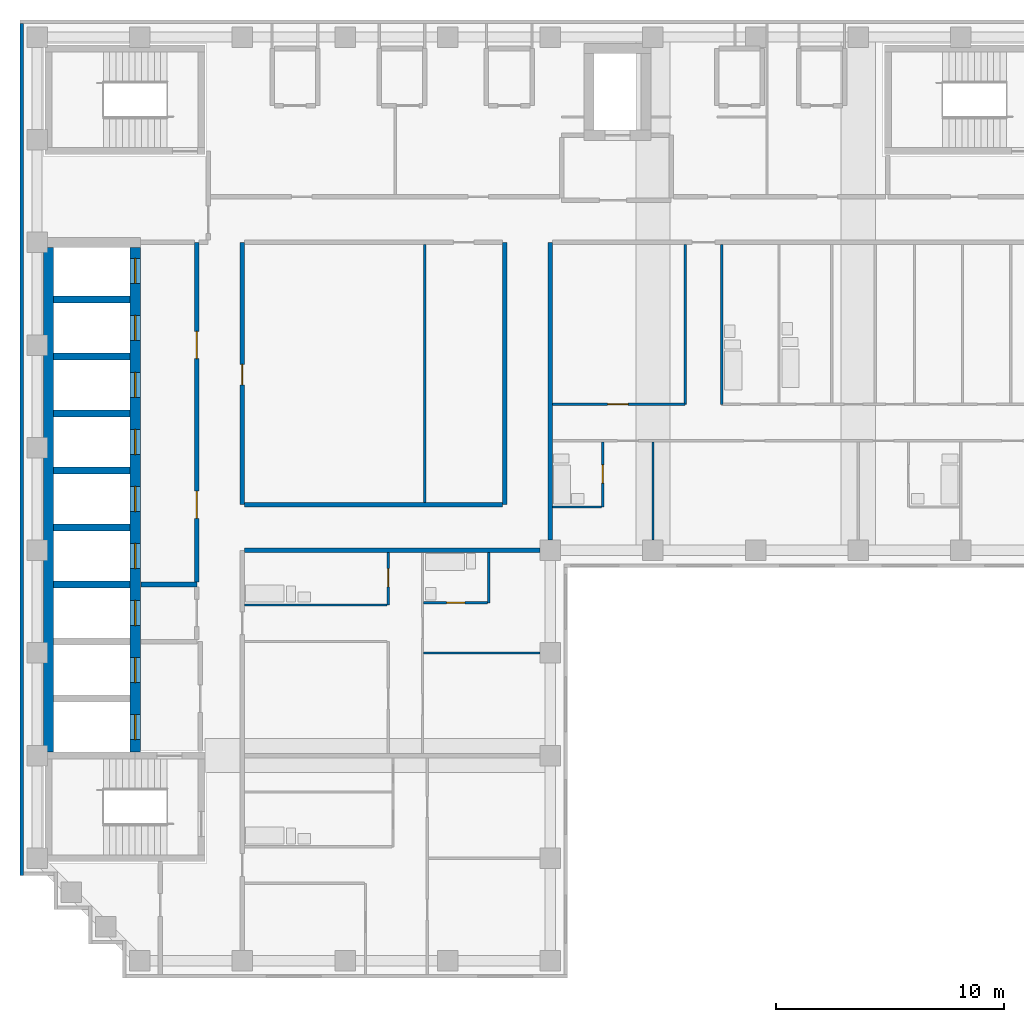
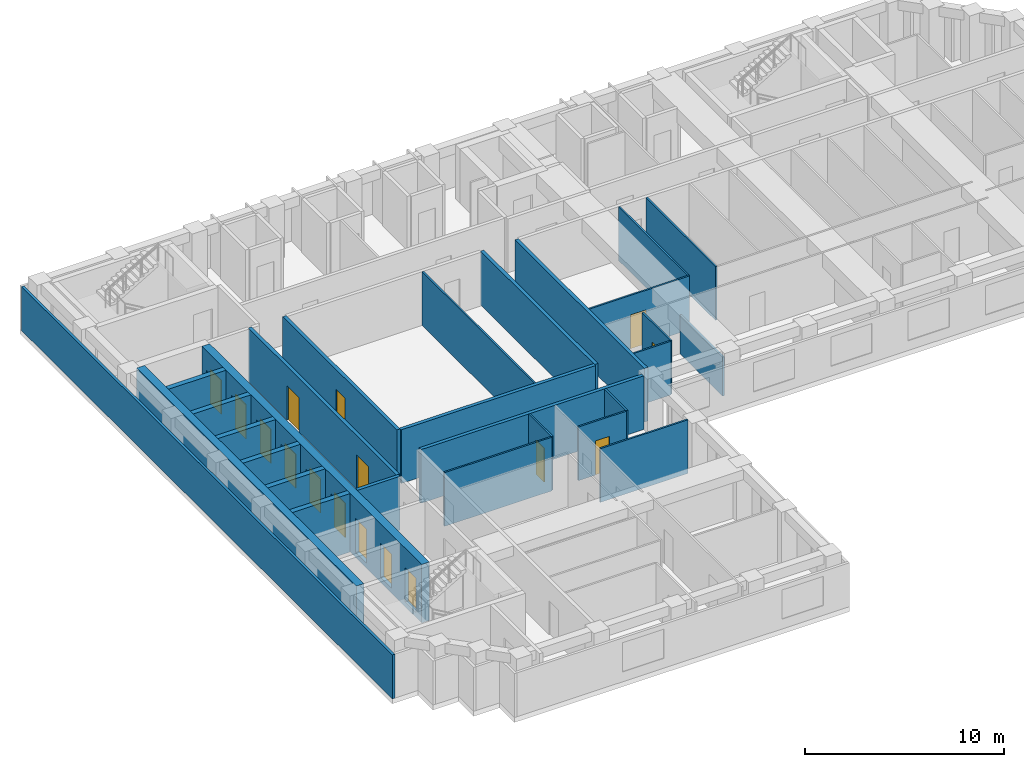
# One storey, part 3 of 9: 28 walls, 16 doors, 16 openings.
"""IFC4 building model written with IfcOpenShell, lengths in metres."""

import ifcopenshell
import ifcopenshell.guid

model = None  # the IFC model being written
_history = None  # IfcOwnerHistory: only IFC2X3 demands one
_inside = {}  # id of a spatial element -> (the spatial element, [elements in it])
_under = {}  # id of a project, library or spatial element -> (it, [spatial elements below it])
_declared = {}  # id of a project -> (the project, [libraries it declares])
_typed = {}  # id of a type object -> (the type object, [elements of that type])
_made_of = {}  # id of a material, layer set ... -> (it, [elements and type objects made of it])


def new_model(schema):
    """Start an empty IFC model of exactly this schema.

    Asked for "IFC4X3", IfcOpenShell would pick the latest addendum, in which some entities
    have other attributes; the version numbers below select the first issue.
    IFC2X3 requires an IfcOwnerHistory on every rooted entity: one is made here for all.
    """
    global model, _history
    if schema == "IFC4X3":
        model = ifcopenshell.file(schema_version=(4, 3, 0, 0))
    else:
        model = ifcopenshell.file(schema=schema)
    _inside.clear()
    _under.clear()
    _declared.clear()
    _typed.clear()
    _made_of.clear()
    _history = None
    if model.schema == "IFC2X3":
        org = make("IfcOrganization", Name="unknown")
        user = make(
            "IfcPersonAndOrganization",
            ThePerson=make("IfcPerson", FamilyName="unknown"),
            TheOrganization=org,
        )
        app = make(
            "IfcApplication",
            ApplicationDeveloper=org,
            Version="unknown",
            ApplicationFullName="unknown",
            ApplicationIdentifier="unknown",
        )
        _history = make(
            "IfcOwnerHistory",
            OwningUser=user,
            OwningApplication=app,
            ChangeAction="ADDED",
            CreationDate=0,
        )
    return model


def make(cls, **values):
    """One entity of the class cls with the attributes given. An attribute that is None is left unset."""
    return model.create_entity(
        cls, **{name: value for name, value in values.items() if value is not None}
    )


def rooted(cls, **values):
    """An entity with a GlobalId (a new one), such as an element, a storey or a relation."""
    return make(cls, GlobalId=ifcopenshell.guid.new(), OwnerHistory=_history, **values)


def si_unit(unit_type, name, prefix=None):
    """IfcSIUnit, for example si_unit("LENGTHUNIT", "METRE", prefix="MILLI")."""
    return make("IfcSIUnit", UnitType=unit_type, Prefix=prefix, Name=name)


def assignment(units):
    """IfcUnitAssignment: the units of a project."""
    return None if units is None else make("IfcUnitAssignment", Units=units)


def point(xyz):
    """IfcCartesianPoint."""
    return None if xyz is None else make("IfcCartesianPoint", Coordinates=xyz)


def direction(xyz):
    """IfcDirection."""
    return None if xyz is None else make("IfcDirection", DirectionRatios=xyz)


def frame(location, z_axis=None, x_axis=None):
    """IfcAxis2Placement3D, a coordinate frame: its origin and axes. An axis left out is left unset."""
    return make(
        "IfcAxis2Placement3D",
        Location=point(location),
        Axis=direction(z_axis),
        RefDirection=direction(x_axis),
    )


def frame_2d(location, x_axis=None):
    """IfcAxis2Placement2D, a coordinate frame in the plane: its origin and x axis."""
    return make(
        "IfcAxis2Placement2D", Location=point(location), RefDirection=direction(x_axis)
    )


def origin():
    """The frame at (0, 0, 0) with its axes left unset."""
    return frame((0.0, 0.0, 0.0))


def place(relative_to, where):
    """IfcLocalPlacement: puts the frame where relative to a parent placement (None: the world)."""
    return make(
        "IfcLocalPlacement", PlacementRelTo=relative_to, RelativePlacement=where
    )


def context(
    kind, dimensions, precision=None, world=None, true_north=None, identifier=None
):
    """IfcGeometricRepresentationContext, for example the 3D "Model" context."""
    return make(
        "IfcGeometricRepresentationContext",
        ContextIdentifier=identifier,
        ContextType=kind,
        CoordinateSpaceDimension=dimensions,
        Precision=precision,
        WorldCoordinateSystem=world,
        TrueNorth=true_north,
    )


def subcontext(parent, identifier, kind, view, scale=None):
    """IfcGeometricRepresentationSubContext, for example "Body" below "Model"."""
    return make(
        "IfcGeometricRepresentationSubContext",
        ContextIdentifier=identifier,
        ContextType=kind,
        ParentContext=parent,
        TargetScale=scale,
        TargetView=view,
    )


def project(units=None, contexts=None):
    """IfcProject with its units and contexts."""
    return rooted(
        "IfcProject",
        Name="project",
        RepresentationContexts=contexts,
        UnitsInContext=assignment(units),
    )


def spatial(cls, under=None, at=None, **own):
    """A site, building, storey or space (cls), placed at a placement, below another one or the project."""
    s = rooted(cls, ObjectPlacement=at, **own)
    if under is not None:
        _under.setdefault(under.id(), (under, []))[1].append(s)
    return s


def profile(cls, at=None, kind="AREA", **sizes):
    """A parametric profile (cls). Its sizes go by their IFC names, for example OverallWidth=200.0."""
    return make(cls, ProfileType=kind, Position=at, **sizes)


def rectangle(**sizes):
    """IfcRectangleProfileDef."""
    return profile("IfcRectangleProfileDef", **sizes)


def extrude(swept, where, along, depth):
    """IfcExtrudedAreaSolid: the profile swept, set in the frame where, extruded along a direction by depth."""
    return make(
        "IfcExtrudedAreaSolid",
        SweptArea=swept,
        Position=where,
        ExtrudedDirection=direction(along),
        Depth=depth,
    )


def shape(context_of_items, identifier, shape_type, items):
    """IfcShapeRepresentation: the items that make up one representation, for example the "Body"."""
    return make(
        "IfcShapeRepresentation",
        ContextOfItems=context_of_items,
        RepresentationIdentifier=identifier,
        RepresentationType=shape_type,
        Items=items,
    )


def material(Name=None, Category=None):
    """IfcMaterial."""
    return make("IfcMaterial", Name=Name, Category=Category)


def layer(
    of_material, thickness, ventilated=None, Name=None, Category=None, Priority=None
):
    """IfcMaterialLayer: one layer of a wall or slab, of a material (None: an air gap)."""
    return make(
        "IfcMaterialLayer",
        Material=of_material,
        LayerThickness=thickness,
        IsVentilated=ventilated,
        Name=Name,
        Category=Category,
        Priority=Priority,
    )


def layer_set(layers, Name=None):
    """IfcMaterialLayerSet."""
    return make("IfcMaterialLayerSet", MaterialLayers=layers, LayerSetName=Name)


def made_of(thing, what):
    """Note that an element or type object is made of a material, layer set ...; save() writes the relation."""
    if what is not None:
        _made_of.setdefault(what.id(), (what, []))[1].append(thing)
    return thing


def type_object(cls, material=None, **own):
    """A type object (cls), such as IfcWallType, which elements share."""
    return made_of(rooted(cls, **own), material)


def element(
    cls,
    number,
    at=None,
    inside=None,
    cuts=None,
    type_object=None,
    material=None,
    context=None,
    identifier="Body",
    shape_type=None,
    held_by="IfcProductDefinitionShape",
    body=None,
    shapes=None,
    **own,
):
    """One element of the class cls, such as IfcWall. Its Tag is "e" and its number.

    at: its placement. inside: the storey or other place that contains it. cuts: it is an
    opening in that element (IfcRelVoidsElement). A single representation is given by context,
    identifier, shape_type and body (its items); several are given by shapes. held_by: the class
    of the entity that holds the representations. save() writes the other relations.
    """
    e = rooted(cls, Tag="e%d" % number, ObjectPlacement=at, **own)
    if body is not None:
        shapes = [shape(context, identifier, shape_type, body)]
    if shapes is not None:
        e.Representation = make(held_by, Representations=shapes)
    if inside is not None:
        _inside.setdefault(inside.id(), (inside, []))[1].append(e)
    if cuts is not None:
        rooted(
            "IfcRelVoidsElement", RelatingBuildingElement=cuts, RelatedOpeningElement=e
        )
    if type_object is not None:
        _typed.setdefault(type_object.id(), (type_object, []))[1].append(e)
    return made_of(e, material)


def fill(opening, filler):
    """IfcRelFillsElement: the door or window that sits in an opening."""
    return rooted(
        "IfcRelFillsElement",
        RelatingOpeningElement=opening,
        RelatedBuildingElement=filler,
    )


def aggregate(whole, parts):
    """IfcRelAggregates: a whole, such as a stair, and the parts it consists of."""
    return rooted("IfcRelAggregates", RelatingObject=whole, RelatedObjects=parts)


def save(model, path):
    """Write the relations noted so far, then the file.

    IfcRelAggregates (storeys below a building ...), IfcRelContainedInSpatialStructure (elements
    in a storey), IfcRelDefinesByType, IfcRelAssociatesMaterial and IfcRelDeclares: one each for
    every whole, place, type object, material and project.
    """
    for whole, parts in _under.values():
        aggregate(whole, parts)
    for where, things in _inside.values():
        rooted(
            "IfcRelContainedInSpatialStructure",
            RelatedElements=things,
            RelatingStructure=where,
        )
    for kind, things in _typed.values():
        rooted("IfcRelDefinesByType", RelatedObjects=things, RelatingType=kind)
    for what, things in _made_of.values():
        rooted("IfcRelAssociatesMaterial", RelatedObjects=things, RelatingMaterial=what)
    for by, libraries in _declared.values():
        rooted("IfcRelDeclares", RelatingContext=by, RelatedDefinitions=libraries)
    model.write(path)


model = new_model("IFC4")

# Units and contexts
model_context = context("Model", 3, precision=1e-05, world=origin(), true_north=direction((0.0, 1.0)))
body_context = subcontext(model_context, "Body", "Model", "MODEL_VIEW")
ifc_project = project(units=[si_unit("LENGTHUNIT", "METRE"), si_unit("AREAUNIT", "SQUARE_METRE"), si_unit("VOLUMEUNIT", "CUBIC_METRE"), si_unit("PLANEANGLEUNIT", "RADIAN"), si_unit("MASSUNIT", "GRAM", prefix="KILO")], contexts=[model_context])

# Site, building, storey
site_placement = place(None, origin())
site = spatial("IfcSite", under=ifc_project, at=site_placement, CompositionType="ELEMENT")
building_placement = place(site_placement, origin())
building = spatial("IfcBuilding", under=site, at=building_placement, Name="Firuza Court", CompositionType="ELEMENT")
storey_placement = place(building_placement, frame((0.0, 0.0, 225.800048828125)))
storey = spatial("IfcBuildingStorey", under=building, at=storey_placement, Name="L58", CompositionType="ELEMENT", Elevation=225.800048828125)

# Wall
ifc_material_1 = material(Name="Moisture-resistant gypsum board partition")
ifc_layer_1 = layer(ifc_material_1, 0.10009765625)
ifc_layer_set_1 = layer_set([ifc_layer_1], Name="Moisture-resistant gypsum board partition")
wall_type_1 = type_object("IfcWallType", Name="Bathroom partition 100", PredefinedType="PLUMBINGWALL", material=ifc_layer_set_1)
wall_1_placement = place(storey_placement, frame((9.10009765625, 33.60009765625, 0.0), z_axis=(0.0, 0.0, 1.0), x_axis=(1.0, 0.0, 0.0)))
element("IfcWall", 1, at=wall_1_placement, inside=storey, type_object=wall_type_1, Name="Bathroom partition 100 L58", PredefinedType="PLUMBINGWALL", context=body_context, shape_type="SweptSolid", body=[
    extrude(rectangle(XDim=6.25, YDim=0.10009765625, at=frame_2d((3.125, 0.0))), origin(), (0.0, 0.0, 1.0), 3.300048828125),
])

# Wall, opening, door
wall_2_placement = place(storey_placement, frame((16.949951171875, 33.699951171875, 0.0), z_axis=(0.0, 0.0, 1.0), x_axis=(1.0, 0.0, 0.0)))
wall_2 = element("IfcWall", 2, at=wall_2_placement, inside=storey, type_object=wall_type_1, Name="Bathroom partition 100 L58", PredefinedType="PLUMBINGWALL", context=body_context, shape_type="SweptSolid", body=[
    extrude(rectangle(XDim=2.800048828125, YDim=0.10009765625, at=frame_2d((1.39990234375, 0.0))), origin(), (0.0, 0.0, 1.0), 3.300048828125),
])
opening_1_placement = place(wall_2_placement, frame((1.0, 0.0, 0.0)))
opening_1 = element("IfcOpeningElement", 3, at=opening_1_placement, cuts=wall_2, Name="Opening D58025", PredefinedType="OPENING", context=body_context, shape_type="SweptSolid", body=[
    extrude(rectangle(XDim=0.800048828125, YDim=2.10009765625, at=frame_2d((0.39990234375, 1.050048828125))), frame((0.0, 0.06201171875, 0.0), z_axis=(0.0, -1.0, 0.0), x_axis=(1.0, 0.0, 0.0)), (0.0, 0.0, 1.0), 0.1240234375),
])
ifc_material_2 = material(Name="Timber door leaf in hardwood frame", Category="wood")
door_type_1 = type_object("IfcDoorType", Name="Bathroom door 800", OperationType="SINGLE_SWING_LEFT", PredefinedType="DOOR", material=ifc_material_2)
door_1_placement = place(opening_1_placement, origin())
door_1 = element("IfcDoor", 4, at=door_1_placement, inside=storey, type_object=door_type_1, Name="En-suite door", OperationType="SINGLE_SWING_LEFT", OverallHeight=2.10009765625, OverallWidth=0.800048828125, PredefinedType="DOOR", context=body_context, shape_type="SweptSolid", body=[
    extrude(rectangle(XDim=0.800048828125, YDim=2.10009765625, at=frame_2d((0.39990234375, 1.050048828125))), frame((0.0, 0.02490234375, 0.0), z_axis=(0.0, -1.0, 0.0), x_axis=(1.0, 0.0, 0.0)), (0.0, 0.0, 1.0), 0.050048828125),
])
fill(opening_1, door_1)

# Walls
wall_3_placement = place(storey_placement, frame((19.800048828125, 33.699951171875, 0.0), z_axis=(0.0, 0.0, 1.0), x_axis=(0.0, 1.0, 0.0)))
element("IfcWall", 5, at=wall_3_placement, inside=storey, type_object=wall_type_1, Name="Bathroom partition 100 L58", PredefinedType="PLUMBINGWALL", context=body_context, shape_type="SweptSolid", body=[
    extrude(rectangle(XDim=2.199951171875, YDim=0.10009765625, at=frame_2d((1.10009765625, 0.0))), origin(), (0.0, 0.0, 1.0), 3.300048828125),
])
wall_4_placement = place(storey_placement, frame((22.60009765625, 37.89990234375, 0.0), z_axis=(0.0, 0.0, 1.0), x_axis=(1.0, 0.0, 0.0)))
element("IfcWall", 6, at=wall_4_placement, inside=storey, type_object=wall_type_1, Name="Bathroom partition 100 L58", PredefinedType="PLUMBINGWALL", context=body_context, shape_type="SweptSolid", body=[
    extrude(rectangle(XDim=2.14990234375, YDim=0.10009765625, at=frame_2d((1.074951171875, 0.0))), origin(), (0.0, 0.0, 1.0), 3.300048828125),
])

# Wall, opening, door
wall_5_placement = place(storey_placement, frame((24.800048828125, 37.89990234375, 0.0), z_axis=(0.0, 0.0, 1.0), x_axis=(0.0, 1.0, 0.0)))
wall_5 = element("IfcWall", 7, at=wall_5_placement, inside=storey, type_object=wall_type_1, Name="Bathroom partition 100 L58", PredefinedType="PLUMBINGWALL", context=body_context, shape_type="SweptSolid", body=[
    extrude(rectangle(XDim=2.85009765625, YDim=0.10009765625, at=frame_2d((1.425048828125, 0.0))), origin(), (0.0, 0.0, 1.0), 3.300048828125),
])
opening_2_placement = place(wall_5_placement, frame((1.050048828125, 0.0, 0.0)))
opening_2 = element("IfcOpeningElement", 8, at=opening_2_placement, cuts=wall_5, Name="Opening D58026", PredefinedType="OPENING", context=body_context, shape_type="SweptSolid", body=[
    extrude(rectangle(XDim=0.800048828125, YDim=2.10009765625, at=frame_2d((0.39990234375, 1.050048828125))), frame((0.0, 0.06201171875, 0.0), z_axis=(0.0, -1.0, 0.0), x_axis=(1.0, 0.0, 0.0)), (0.0, 0.0, 1.0), 0.1240234375),
])
door_2_placement = place(opening_2_placement, origin())
door_2 = element("IfcDoor", 9, at=door_2_placement, inside=storey, type_object=door_type_1, Name="En-suite door", OperationType="SINGLE_SWING_LEFT", OverallHeight=2.10009765625, OverallWidth=0.800048828125, PredefinedType="DOOR", context=body_context, shape_type="SweptSolid", body=[
    extrude(rectangle(XDim=0.800048828125, YDim=2.10009765625, at=frame_2d((0.39990234375, 1.050048828125))), frame((0.0, 0.02490234375, 0.0), z_axis=(0.0, -1.0, 0.0), x_axis=(1.0, 0.0, 0.0)), (0.0, 0.0, 1.0), 0.050048828125),
])
fill(opening_2, door_2)

# Walls
wall_6_placement = place(storey_placement, frame((30.014892578125, 42.39990234375, 0.0), z_axis=(0.0, 0.0, 1.0), x_axis=(0.0, 1.0, 0.0)))
element("IfcWall", 10, at=wall_6_placement, inside=storey, type_object=wall_type_1, Name="Bathroom partition 100 L58", PredefinedType="PLUMBINGWALL", context=body_context, shape_type="SweptSolid", body=[
    extrude(rectangle(XDim=7.0, YDim=0.10009765625, at=frame_2d((3.5, 0.0))), origin(), (0.0, 0.0, 1.0), 3.300048828125),
])
ifc_material_3 = material(Name="Concrete C50/60", Category="concrete")
ifc_layer_2 = layer(ifc_material_3, 0.300048828125)
ifc_layer_set_2 = layer_set([ifc_layer_2], Name="Concrete C50/60")
wall_type_2 = type_object("IfcWallType", Name="Core wall 300 C50/60", PredefinedType="SHEAR", material=ifc_layer_set_2)
for number, where, z_axis, x_axis, name in (
    (11, (0.72509765625, 34.5, -0.300048828125), (0.0, 0.0, 1.0), (1.0, 0.0, 0.0), "Core wall lift shaft L58"),
    (12, (0.72509765625, 37.0, -0.300048828125), (0.0, 0.0, 1.0), (1.0, 0.0, 0.0), "Core wall lift shaft L58"),
    (13, (0.72509765625, 39.5, -0.300048828125), (0.0, 0.0, 1.0), (1.0, 0.0, 0.0), "Core wall lift shaft L58"),
    (14, (0.72509765625, 42.0, -0.300048828125), (0.0, 0.0, 1.0), (1.0, 0.0, 0.0), "Core wall lift shaft L58"),
    (15, (0.72509765625, 44.5, -0.300048828125), (0.0, 0.0, 1.0), (1.0, 0.0, 0.0), "Core wall lift shaft L58"),
    (16, (0.72509765625, 47.0, -0.300048828125), (0.0, 0.0, 1.0), (1.0, 0.0, 0.0), "Core wall lift shaft L58"),
):
    element("IfcWall", number, at=place(storey_placement, frame(where, z_axis=z_axis, x_axis=x_axis)), inside=storey, type_object=wall_type_2, Name=name, PredefinedType="SHEAR", context=body_context, shape_type="SweptSolid", body=[
        extrude(rectangle(XDim=3.349853515625, YDim=0.300048828125, at=frame_2d((1.6748046875, 0.0))), origin(), (0.0, 0.0, 1.0), 3.60009765625),
    ])
ifc_layer_3 = layer(ifc_material_3, 0.449951171875)
ifc_layer_set_3 = layer_set([ifc_layer_3], Name="Concrete C50/60")
wall_type_3 = type_object("IfcWallType", Name="Core wall 450 C50/60", PredefinedType="SHEAR", material=ifc_layer_set_3)
wall_7_placement = place(storey_placement, frame((0.5, 27.14990234375, -0.300048828125), z_axis=(0.0, 0.0, 1.0), x_axis=(0.0, 1.0, 0.0)))
element("IfcWall", 17, at=wall_7_placement, inside=storey, type_object=wall_type_3, Name="Core wall lift shaft L58", PredefinedType="SHEAR", context=body_context, shape_type="SweptSolid", body=[
    extrude(rectangle(XDim=22.125, YDim=0.449951171875, at=frame_2d((11.0625, 0.0))), origin(), (0.0, 0.0, 1.0), 3.60009765625),
])

# Wall, openings, doors
wall_8_placement = place(storey_placement, frame((4.300048828125, 27.14990234375, -0.300048828125), z_axis=(0.0, 0.0, 1.0), x_axis=(0.0, 1.0, 0.0)))
wall_8 = element("IfcWall", 18, at=wall_8_placement, inside=storey, type_object=wall_type_3, Name="Core wall lift shaft L58", PredefinedType="SHEAR", context=body_context, shape_type="SweptSolid", body=[
    extrude(rectangle(XDim=22.125, YDim=0.449951171875, at=frame_2d((11.0625, 0.0))), origin(), (0.0, 0.0, 1.0), 3.60009765625),
])
opening_3_placement = place(wall_8_placement, frame((3.050048828125, 0.0, 0.300048828125)))
opening_3 = element("IfcOpeningElement", 19, at=opening_3_placement, cuts=wall_8, Name="Opening LD-FL1-58", PredefinedType="OPENING", context=body_context, shape_type="SweptSolid", body=[
    extrude(rectangle(XDim=1.10009765625, YDim=2.10009765625, at=frame_2d((0.550048828125, 1.050048828125))), frame((0.0, 0.23681640625, 0.0), z_axis=(0.0, -1.0, 0.0), x_axis=(1.0, 0.0, 0.0)), (0.0, 0.0, 1.0), 0.473876953125),
])
opening_4_placement = place(wall_8_placement, frame((0.550048828125, 0.0, 0.300048828125)))
opening_4 = element("IfcOpeningElement", 20, at=opening_4_placement, cuts=wall_8, Name="Opening LD-FL2-58", PredefinedType="OPENING", context=body_context, shape_type="SweptSolid", body=[
    extrude(rectangle(XDim=1.10009765625, YDim=2.10009765625, at=frame_2d((0.550048828125, 1.050048828125))), frame((0.0, 0.23681640625, 0.0), z_axis=(0.0, -1.0, 0.0), x_axis=(1.0, 0.0, 0.0)), (0.0, 0.0, 1.0), 0.473876953125),
])
opening_5_placement = place(wall_8_placement, frame((20.550048828125, 0.0, 0.300048828125)))
opening_5 = element("IfcOpeningElement", 21, at=opening_5_placement, cuts=wall_8, Name="Opening LD-HB1-58", PredefinedType="OPENING", context=body_context, shape_type="SweptSolid", body=[
    extrude(rectangle(XDim=1.10009765625, YDim=2.10009765625, at=frame_2d((0.550048828125, 1.050048828125))), frame((0.0, 0.23681640625, 0.0), z_axis=(0.0, -1.0, 0.0), x_axis=(1.0, 0.0, 0.0)), (0.0, 0.0, 1.0), 0.473876953125),
])
opening_6_placement = place(wall_8_placement, frame((18.050048828125, 0.0, 0.300048828125)))
opening_6 = element("IfcOpeningElement", 22, at=opening_6_placement, cuts=wall_8, Name="Opening LD-HB2-58", PredefinedType="OPENING", context=body_context, shape_type="SweptSolid", body=[
    extrude(rectangle(XDim=1.10009765625, YDim=2.10009765625, at=frame_2d((0.550048828125, 1.050048828125))), frame((0.0, 0.23681640625, 0.0), z_axis=(0.0, -1.0, 0.0), x_axis=(1.0, 0.0, 0.0)), (0.0, 0.0, 1.0), 0.473876953125),
])
opening_7_placement = place(wall_8_placement, frame((15.550048828125, 0.0, 0.300048828125)))
opening_7 = element("IfcOpeningElement", 23, at=opening_7_placement, cuts=wall_8, Name="Opening LD-HB3-58", PredefinedType="OPENING", context=body_context, shape_type="SweptSolid", body=[
    extrude(rectangle(XDim=1.10009765625, YDim=2.10009765625, at=frame_2d((0.550048828125, 1.050048828125))), frame((0.0, 0.23681640625, 0.0), z_axis=(0.0, -1.0, 0.0), x_axis=(1.0, 0.0, 0.0)), (0.0, 0.0, 1.0), 0.473876953125),
])
opening_8_placement = place(wall_8_placement, frame((13.050048828125, 0.0, 0.300048828125)))
opening_8 = element("IfcOpeningElement", 24, at=opening_8_placement, cuts=wall_8, Name="Opening LD-HB4-58", PredefinedType="OPENING", context=body_context, shape_type="SweptSolid", body=[
    extrude(rectangle(XDim=1.10009765625, YDim=2.10009765625, at=frame_2d((0.550048828125, 1.050048828125))), frame((0.0, 0.23681640625, 0.0), z_axis=(0.0, -1.0, 0.0), x_axis=(1.0, 0.0, 0.0)), (0.0, 0.0, 1.0), 0.473876953125),
])
opening_9_placement = place(wall_8_placement, frame((10.550048828125, 0.0, 0.300048828125)))
opening_9 = element("IfcOpeningElement", 25, at=opening_9_placement, cuts=wall_8, Name="Opening LD-HB5-58", PredefinedType="OPENING", context=body_context, shape_type="SweptSolid", body=[
    extrude(rectangle(XDim=1.10009765625, YDim=2.10009765625, at=frame_2d((0.550048828125, 1.050048828125))), frame((0.0, 0.23681640625, 0.0), z_axis=(0.0, -1.0, 0.0), x_axis=(1.0, 0.0, 0.0)), (0.0, 0.0, 1.0), 0.473876953125),
])
opening_10_placement = place(wall_8_placement, frame((8.050048828125, 0.0, 0.300048828125)))
opening_10 = element("IfcOpeningElement", 26, at=opening_10_placement, cuts=wall_8, Name="Opening LD-HB6-58", PredefinedType="OPENING", context=body_context, shape_type="SweptSolid", body=[
    extrude(rectangle(XDim=1.10009765625, YDim=2.10009765625, at=frame_2d((0.550048828125, 1.050048828125))), frame((0.0, 0.23681640625, 0.0), z_axis=(0.0, -1.0, 0.0), x_axis=(1.0, 0.0, 0.0)), (0.0, 0.0, 1.0), 0.473876953125),
])
opening_11_placement = place(wall_8_placement, frame((5.550048828125, 0.0, 0.300048828125)))
opening_11 = element("IfcOpeningElement", 27, at=opening_11_placement, cuts=wall_8, Name="Opening LD-SL1-58", PredefinedType="OPENING", context=body_context, shape_type="SweptSolid", body=[
    extrude(rectangle(XDim=1.10009765625, YDim=2.10009765625, at=frame_2d((0.550048828125, 1.050048828125))), frame((0.0, 0.23681640625, 0.0), z_axis=(0.0, -1.0, 0.0), x_axis=(1.0, 0.0, 0.0)), (0.0, 0.0, 1.0), 0.473876953125),
])
ifc_material_4 = material(Name="Stainless steel 1.4301 door leaf", Category="steel")
door_type_2 = type_object("IfcDoorType", Name="Lift landing door 1100", OperationType="SLIDING_TO_LEFT", PredefinedType="DOOR", material=ifc_material_4)
door_3_placement = place(opening_3_placement, origin())
door_3 = element("IfcDoor", 28, at=door_3_placement, inside=storey, type_object=door_type_2, Name="Landing door FL1", OperationType="SLIDING_TO_LEFT", OverallHeight=2.10009765625, OverallWidth=1.10009765625, PredefinedType="DOOR", context=body_context, shape_type="SweptSolid", body=[
    extrude(rectangle(XDim=1.10009765625, YDim=2.10009765625, at=frame_2d((0.550048828125, 1.050048828125))), frame((0.0, 0.02490234375, 0.0), z_axis=(0.0, -1.0, 0.0), x_axis=(1.0, 0.0, 0.0)), (0.0, 0.0, 1.0), 0.050048828125),
])
fill(opening_3, door_3)
door_4_placement = place(opening_4_placement, origin())
door_4 = element("IfcDoor", 29, at=door_4_placement, inside=storey, type_object=door_type_2, Name="Landing door FL2", OperationType="SLIDING_TO_LEFT", OverallHeight=2.10009765625, OverallWidth=1.10009765625, PredefinedType="DOOR", context=body_context, shape_type="SweptSolid", body=[
    extrude(rectangle(XDim=1.10009765625, YDim=2.10009765625, at=frame_2d((0.550048828125, 1.050048828125))), frame((0.0, 0.02490234375, 0.0), z_axis=(0.0, -1.0, 0.0), x_axis=(1.0, 0.0, 0.0)), (0.0, 0.0, 1.0), 0.050048828125),
])
fill(opening_4, door_4)
door_5_placement = place(opening_5_placement, origin())
door_5 = element("IfcDoor", 30, at=door_5_placement, inside=storey, type_object=door_type_2, Name="Landing door HB1", OperationType="SLIDING_TO_LEFT", OverallHeight=2.10009765625, OverallWidth=1.10009765625, PredefinedType="DOOR", context=body_context, shape_type="SweptSolid", body=[
    extrude(rectangle(XDim=1.10009765625, YDim=2.10009765625, at=frame_2d((0.550048828125, 1.050048828125))), frame((0.0, 0.02490234375, 0.0), z_axis=(0.0, -1.0, 0.0), x_axis=(1.0, 0.0, 0.0)), (0.0, 0.0, 1.0), 0.050048828125),
])
fill(opening_5, door_5)
door_6_placement = place(opening_6_placement, origin())
door_6 = element("IfcDoor", 31, at=door_6_placement, inside=storey, type_object=door_type_2, Name="Landing door HB2", OperationType="SLIDING_TO_LEFT", OverallHeight=2.10009765625, OverallWidth=1.10009765625, PredefinedType="DOOR", context=body_context, shape_type="SweptSolid", body=[
    extrude(rectangle(XDim=1.10009765625, YDim=2.10009765625, at=frame_2d((0.550048828125, 1.050048828125))), frame((0.0, 0.02490234375, 0.0), z_axis=(0.0, -1.0, 0.0), x_axis=(1.0, 0.0, 0.0)), (0.0, 0.0, 1.0), 0.050048828125),
])
fill(opening_6, door_6)
door_7_placement = place(opening_7_placement, origin())
door_7 = element("IfcDoor", 32, at=door_7_placement, inside=storey, type_object=door_type_2, Name="Landing door HB3", OperationType="SLIDING_TO_LEFT", OverallHeight=2.10009765625, OverallWidth=1.10009765625, PredefinedType="DOOR", context=body_context, shape_type="SweptSolid", body=[
    extrude(rectangle(XDim=1.10009765625, YDim=2.10009765625, at=frame_2d((0.550048828125, 1.050048828125))), frame((0.0, 0.02490234375, 0.0), z_axis=(0.0, -1.0, 0.0), x_axis=(1.0, 0.0, 0.0)), (0.0, 0.0, 1.0), 0.050048828125),
])
fill(opening_7, door_7)
door_8_placement = place(opening_8_placement, origin())
door_8 = element("IfcDoor", 33, at=door_8_placement, inside=storey, type_object=door_type_2, Name="Landing door HB4", OperationType="SLIDING_TO_LEFT", OverallHeight=2.10009765625, OverallWidth=1.10009765625, PredefinedType="DOOR", context=body_context, shape_type="SweptSolid", body=[
    extrude(rectangle(XDim=1.10009765625, YDim=2.10009765625, at=frame_2d((0.550048828125, 1.050048828125))), frame((0.0, 0.02490234375, 0.0), z_axis=(0.0, -1.0, 0.0), x_axis=(1.0, 0.0, 0.0)), (0.0, 0.0, 1.0), 0.050048828125),
])
fill(opening_8, door_8)
door_9_placement = place(opening_9_placement, origin())
door_9 = element("IfcDoor", 34, at=door_9_placement, inside=storey, type_object=door_type_2, Name="Landing door HB5", OperationType="SLIDING_TO_LEFT", OverallHeight=2.10009765625, OverallWidth=1.10009765625, PredefinedType="DOOR", context=body_context, shape_type="SweptSolid", body=[
    extrude(rectangle(XDim=1.10009765625, YDim=2.10009765625, at=frame_2d((0.550048828125, 1.050048828125))), frame((0.0, 0.02490234375, 0.0), z_axis=(0.0, -1.0, 0.0), x_axis=(1.0, 0.0, 0.0)), (0.0, 0.0, 1.0), 0.050048828125),
])
fill(opening_9, door_9)
door_10_placement = place(opening_10_placement, origin())
door_10 = element("IfcDoor", 35, at=door_10_placement, inside=storey, type_object=door_type_2, Name="Landing door HB6", OperationType="SLIDING_TO_LEFT", OverallHeight=2.10009765625, OverallWidth=1.10009765625, PredefinedType="DOOR", context=body_context, shape_type="SweptSolid", body=[
    extrude(rectangle(XDim=1.10009765625, YDim=2.10009765625, at=frame_2d((0.550048828125, 1.050048828125))), frame((0.0, 0.02490234375, 0.0), z_axis=(0.0, -1.0, 0.0), x_axis=(1.0, 0.0, 0.0)), (0.0, 0.0, 1.0), 0.050048828125),
])
fill(opening_10, door_10)
door_11_placement = place(opening_11_placement, origin())
door_11 = element("IfcDoor", 36, at=door_11_placement, inside=storey, type_object=door_type_2, Name="Landing door SL1", OperationType="SLIDING_TO_LEFT", OverallHeight=2.10009765625, OverallWidth=1.10009765625, PredefinedType="DOOR", context=body_context, shape_type="SweptSolid", body=[
    extrude(rectangle(XDim=1.10009765625, YDim=2.10009765625, at=frame_2d((0.550048828125, 1.050048828125))), frame((0.0, 0.02490234375, 0.0), z_axis=(0.0, -1.0, 0.0), x_axis=(1.0, 0.0, 0.0)), (0.0, 0.0, 1.0), 0.050048828125),
])
fill(opening_11, door_11)

# Wall, opening, door
ifc_material_5 = material(Name="Blockwork, plastered both sides", Category="masonry")
ifc_layer_4 = layer(ifc_material_5, 0.199951171875)
ifc_layer_set_4 = layer_set([ifc_layer_4], Name="Blockwork, plastered both sides")
wall_type_4 = type_object("IfcWallType", Name="Corridor wall 200", PredefinedType="PARTITIONING", material=ifc_layer_set_4)
wall_9_placement = place(storey_placement, frame((9.0, 38.0, 0.0), z_axis=(0.0, 0.0, 1.0), x_axis=(0.0, 1.0, 0.0)))
wall_9 = element("IfcWall", 37, at=wall_9_placement, inside=storey, type_object=wall_type_4, Name="Corridor wall 200 L58", PredefinedType="PARTITIONING", context=body_context, shape_type="SweptSolid", body=[
    extrude(rectangle(XDim=11.5, YDim=0.199951171875, at=frame_2d((5.75, 0.0))), origin(), (0.0, 0.0, 1.0), 3.300048828125),
])
opening_12_placement = place(wall_9_placement, frame((5.25, 0.0, 0.0)))
opening_12 = element("IfcOpeningElement", 38, at=opening_12_placement, cuts=wall_9, Name="Opening D58028", PredefinedType="OPENING", context=body_context, shape_type="SweptSolid", body=[
    extrude(rectangle(XDim=0.89990234375, YDim=2.10009765625, at=frame_2d((0.449951171875, 1.050048828125))), frame((0.0, 0.11181640625, 0.0), z_axis=(0.0, -1.0, 0.0), x_axis=(1.0, 0.0, 0.0)), (0.0, 0.0, 1.0), 0.223876953125),
])
ifc_material_6 = material(Name="Timber door leaf in hardwood frame", Category="wood")
door_type_3 = type_object("IfcDoorType", Name="Room door 900 EI 30", OperationType="SINGLE_SWING_LEFT", PredefinedType="DOOR", material=ifc_material_6)
door_12_placement = place(opening_12_placement, origin())
door_12 = element("IfcDoor", 39, at=door_12_placement, inside=storey, type_object=door_type_3, Name="Cinema room door", OperationType="SINGLE_SWING_LEFT", OverallHeight=2.10009765625, OverallWidth=0.89990234375, PredefinedType="DOOR", context=body_context, shape_type="SweptSolid", body=[
    extrude(rectangle(XDim=0.89990234375, YDim=2.10009765625, at=frame_2d((0.449951171875, 1.050048828125))), frame((0.0, 0.02490234375, 0.0), z_axis=(0.0, -1.0, 0.0), x_axis=(1.0, 0.0, 0.0)), (0.0, 0.0, 1.0), 0.050048828125),
])
fill(opening_12, door_12)

# Walls
wall_10_placement = place(storey_placement, frame((9.10009765625, 38.0, 0.0), z_axis=(0.0, 0.0, 1.0), x_axis=(1.0, 0.0, 0.0)))
element("IfcWall", 40, at=wall_10_placement, inside=storey, type_object=wall_type_4, Name="Corridor wall 200 L58", PredefinedType="PARTITIONING", context=body_context, shape_type="SweptSolid", body=[
    extrude(rectangle(XDim=11.2998046875, YDim=0.199951171875, at=frame_2d((5.64990234375, 0.0))), origin(), (0.0, 0.0, 1.0), 3.300048828125),
])
wall_11_placement = place(storey_placement, frame((20.5, 38.0, 0.0), z_axis=(0.0, 0.0, 1.0), x_axis=(0.0, 1.0, 0.0)))
element("IfcWall", 41, at=wall_11_placement, inside=storey, type_object=wall_type_4, Name="Corridor wall 200 L58", PredefinedType="PARTITIONING", context=body_context, shape_type="SweptSolid", body=[
    extrude(rectangle(XDim=11.5, YDim=0.199951171875, at=frame_2d((5.75, 0.0))), origin(), (0.0, 0.0, 1.0), 3.300048828125),
])
ifc_material_7 = material(Name="Timber stud partition, plasterboard both sides", Category="wood")
ifc_layer_5 = layer(ifc_material_7, 0.10009765625)
ifc_layer_set_5 = layer_set([ifc_layer_5], Name="Timber stud partition, plasterboard both sides")
wall_type_5 = type_object("IfcWallType", Name="Partition wall 100", PredefinedType="PARTITIONING", material=ifc_layer_set_5)
wall_12_placement = place(storey_placement, frame((16.949951171875, 31.5, 0.0), z_axis=(0.0, 0.0, 1.0), x_axis=(1.0, 0.0, 0.0)))
element("IfcWall", 42, at=wall_12_placement, inside=storey, type_object=wall_type_5, Name="Partition wall 100 L58", PredefinedType="PARTITIONING", context=body_context, shape_type="SweptSolid", body=[
    extrude(rectangle(XDim=5.10009765625, YDim=0.10009765625, at=frame_2d((2.550048828125, 0.0))), origin(), (0.0, 0.0, 1.0), 3.300048828125),
])

# Wall, opening, door
wall_13_placement = place(storey_placement, frame((15.39990234375, 33.60009765625, 0.0), z_axis=(0.0, 0.0, 1.0), x_axis=(0.0, 1.0, 0.0)))
wall_13 = element("IfcWall", 43, at=wall_13_placement, inside=storey, type_object=wall_type_5, Name="Partition wall 100 L58", PredefinedType="PARTITIONING", context=body_context, shape_type="SweptSolid", body=[
    extrude(rectangle(XDim=2.2998046875, YDim=0.10009765625, at=frame_2d((1.14990234375, 0.0))), origin(), (0.0, 0.0, 1.0), 3.300048828125),
])
opening_13_placement = place(wall_13_placement, frame((0.800048828125, 0.0, 0.0)))
opening_13 = element("IfcOpeningElement", 44, at=opening_13_placement, cuts=wall_13, Name="Opening D58024", PredefinedType="OPENING", context=body_context, shape_type="SweptSolid", body=[
    extrude(rectangle(XDim=0.800048828125, YDim=2.10009765625, at=frame_2d((0.39990234375, 1.050048828125))), frame((0.0, 0.06201171875, 0.0), z_axis=(0.0, -1.0, 0.0), x_axis=(1.0, 0.0, 0.0)), (0.0, 0.0, 1.0), 0.1240234375),
])
door_13_placement = place(opening_13_placement, origin())
door_13 = element("IfcDoor", 45, at=door_13_placement, inside=storey, type_object=door_type_1, Name="Bathroom door", OperationType="SINGLE_SWING_LEFT", OverallHeight=2.10009765625, OverallWidth=0.800048828125, PredefinedType="DOOR", context=body_context, shape_type="SweptSolid", body=[
    extrude(rectangle(XDim=0.800048828125, YDim=2.10009765625, at=frame_2d((0.39990234375, 1.050048828125))), frame((0.0, 0.02490234375, 0.0), z_axis=(0.0, -1.0, 0.0), x_axis=(1.0, 0.0, 0.0)), (0.0, 0.0, 1.0), 0.050048828125),
])
fill(opening_13, door_13)

# Walls
wall_14_placement = place(storey_placement, frame((27.0, 36.449951171875, 0.0), z_axis=(0.0, 0.0, 1.0), x_axis=(0.0, 1.0, 0.0)))
element("IfcWall", 46, at=wall_14_placement, inside=storey, type_object=wall_type_5, Name="Partition wall 100 L58", PredefinedType="PARTITIONING", context=body_context, shape_type="SweptSolid", body=[
    extrude(rectangle(XDim=4.300048828125, YDim=0.10009765625, at=frame_2d((2.14990234375, 0.0))), origin(), (0.0, 0.0, 1.0), 2.39990234375),
])
wall_15_placement = place(storey_placement, frame((17.0, 38.10009765625, 0.0), z_axis=(0.0, 0.0, 1.0), x_axis=(0.0, 1.0, 0.0)))
element("IfcWall", 47, at=wall_15_placement, inside=storey, type_object=wall_type_5, Name="Partition wall 100 L58", PredefinedType="PARTITIONING", context=body_context, shape_type="SweptSolid", body=[
    extrude(rectangle(XDim=11.2998046875, YDim=0.10009765625, at=frame_2d((5.64990234375, 0.0))), origin(), (0.0, 0.0, 1.0), 3.300048828125),
])

# Wall, opening, door
wall_16_placement = place(storey_placement, frame((22.60009765625, 42.39990234375, 0.0), z_axis=(0.0, 0.0, 1.0), x_axis=(1.0, 0.0, 0.0)))
wall_16 = element("IfcWall", 48, at=wall_16_placement, inside=storey, type_object=wall_type_5, Name="Partition wall 100 L58", PredefinedType="PARTITIONING", context=body_context, shape_type="SweptSolid", body=[
    extrude(rectangle(XDim=5.8154296875, YDim=0.10009765625, at=frame_2d((2.90771484375, 0.0))), origin(), (0.0, 0.0, 1.0), 3.300048828125),
])
opening_14_placement = place(wall_16_placement, frame((2.40771484375, 0.0, 0.0)))
opening_14 = element("IfcOpeningElement", 49, at=opening_14_placement, cuts=wall_16, Name="Opening D58034", PredefinedType="OPENING", context=body_context, shape_type="SweptSolid", body=[
    extrude(rectangle(XDim=0.89990234375, YDim=2.10009765625, at=frame_2d((0.449951171875, 1.050048828125))), frame((0.0, 0.06201171875, 0.0), z_axis=(0.0, -1.0, 0.0), x_axis=(1.0, 0.0, 0.0)), (0.0, 0.0, 1.0), 0.1240234375),
])
ifc_material_8 = material(Name="Timber door leaf in hardwood frame", Category="wood")
door_type_4 = type_object("IfcDoorType", Name="Room door 900", OperationType="SINGLE_SWING_LEFT", PredefinedType="DOOR", material=ifc_material_8)
door_14_placement = place(opening_14_placement, origin())
door_14 = element("IfcDoor", 50, at=door_14_placement, inside=storey, type_object=door_type_4, Name="Kitchen door", OperationType="SINGLE_SWING_LEFT", OverallHeight=2.10009765625, OverallWidth=0.89990234375, PredefinedType="DOOR", context=body_context, shape_type="SweptSolid", body=[
    extrude(rectangle(XDim=0.89990234375, YDim=2.10009765625, at=frame_2d((0.449951171875, 1.050048828125))), frame((0.0, 0.02490234375, 0.0), z_axis=(0.0, -1.0, 0.0), x_axis=(1.0, 0.0, 0.0)), (0.0, 0.0, 1.0), 0.050048828125),
])
fill(opening_14, door_14)

# Walls
wall_17_placement = place(storey_placement, frame((28.416015625, 42.39990234375, 0.0), z_axis=(0.0, 0.0, 1.0), x_axis=(0.0, 1.0, 0.0)))
element("IfcWall", 51, at=wall_17_placement, inside=storey, type_object=wall_type_5, Name="Partition wall 100 L58", PredefinedType="PARTITIONING", context=body_context, shape_type="SweptSolid", body=[
    extrude(rectangle(XDim=7.0, YDim=0.10009765625, at=frame_2d((3.5, 0.0))), origin(), (0.0, 0.0, 1.0), 3.300048828125),
])
ifc_layer_6 = layer(ifc_material_5, 0.199951171875)
ifc_layer_set_6 = layer_set([ifc_layer_6], Name="Blockwork, plastered both sides")
wall_type_6 = type_object("IfcWallType", Name="Party wall 200", PredefinedType="PARTITIONING", material=ifc_layer_set_6)
wall_18_placement = place(storey_placement, frame((9.10009765625, 36.0, 0.0), z_axis=(0.0, 0.0, 1.0), x_axis=(1.0, 0.0, 0.0)))
element("IfcWall", 52, at=wall_18_placement, inside=storey, type_object=wall_type_6, Name="Party wall 200 L58", PredefinedType="PARTITIONING", context=body_context, shape_type="SweptSolid", body=[
    extrude(rectangle(XDim=12.949951171875, YDim=0.199951171875, at=frame_2d((6.47509765625, 0.0))), origin(), (0.0, 0.0, 1.0), 3.300048828125),
])
wall_19_placement = place(storey_placement, frame((22.5, 36.449951171875, 0.0), z_axis=(0.0, 0.0, 1.0), x_axis=(0.0, 1.0, 0.0)))
element("IfcWall", 53, at=wall_19_placement, inside=storey, type_object=wall_type_6, Name="Party wall 200 L58", PredefinedType="PARTITIONING", context=body_context, shape_type="SweptSolid", body=[
    extrude(rectangle(XDim=13.050048828125, YDim=0.199951171875, at=frame_2d((6.52490234375, 0.0))), origin(), (0.0, 0.0, 1.0), 3.300048828125),
])
ifc_material_9 = material(Name="Ceramic tile", Category="ceramic")
ifc_layer_7 = layer(ifc_material_9, 0.02001953125)
ifc_material_10 = material(Name="Mineral wool insulation", Category="insulation")
ifc_layer_8 = layer(ifc_material_10, 0.050048828125)
ifc_material_11 = material(Name="Concrete C40/50 precast", Category="concrete")
ifc_layer_9 = layer(ifc_material_11, 0.080078125)
ifc_layer_set_7 = layer_set([ifc_layer_7, ifc_layer_8, ifc_layer_9], Name="Concrete C40/50 precast")
wall_type_7 = type_object("IfcWallType", Name="Precast cladding wall with turquoise TILE PANEL face 150", PredefinedType="STANDARD", material=ifc_layer_set_7)
wall_20_placement = place(storey_placement, frame((-0.675048828125, 59.10009765625, 0.0), z_axis=(0.0, 0.0, 1.0), x_axis=(0.0, -1.0, 0.0)))
element("IfcWall", 54, at=wall_20_placement, inside=storey, type_object=wall_type_7, Name="Facade wall L58 W", PredefinedType="STANDARD", context=body_context, shape_type="SweptSolid", body=[
    extrude(rectangle(XDim=37.35009765625, YDim=0.14990234375, at=frame_2d((18.675048828125, 0.0))), origin(), (0.0, 0.0, 1.0), 2.699951171875),
])
ifc_material_12 = material(Name="Blockwork, fire-rated", Category="masonry")
ifc_layer_10 = layer(ifc_material_12, 0.199951171875)
ifc_layer_set_8 = layer_set([ifc_layer_10], Name="Blockwork, fire-rated")
wall_type_8 = type_object("IfcWallType", Name="Shaft wall 200", PredefinedType="PARTITIONING", material=ifc_layer_set_8)
wall_21_placement = place(storey_placement, frame((4.544921875, 34.5, 0.0), z_axis=(0.0, 0.0, 1.0), x_axis=(1.0, 0.0, 0.0)))
element("IfcWall", 55, at=wall_21_placement, inside=storey, type_object=wall_type_8, Name="Shaft wall 200 L58", PredefinedType="PARTITIONING", context=body_context, shape_type="SweptSolid", body=[
    extrude(rectangle(XDim=2.455078125, YDim=0.199951171875, at=frame_2d((1.2275390625, 0.0))), origin(), (0.0, 0.0, 1.0), 3.300048828125),
])

# Wall, openings, doors
wall_22_placement = place(storey_placement, frame((7.0, 34.60009765625, 0.0), z_axis=(0.0, 0.0, 1.0), x_axis=(0.0, 1.0, 0.0)))
wall_22 = element("IfcWall", 56, at=wall_22_placement, inside=storey, type_object=wall_type_8, Name="Shaft wall 200 L58", PredefinedType="PARTITIONING", context=body_context, shape_type="SweptSolid", body=[
    extrude(rectangle(XDim=14.89990234375, YDim=0.199951171875, at=frame_2d((7.449951171875, 0.0))), origin(), (0.0, 0.0, 1.0), 3.300048828125),
])
opening_15_placement = place(wall_22_placement, frame((2.800048828125, 0.0, 0.0)))
opening_15 = element("IfcOpeningElement", 57, at=opening_15_placement, cuts=wall_22, Name="Opening D58004", PredefinedType="OPENING", context=body_context, shape_type="SweptSolid", body=[
    extrude(rectangle(XDim=1.199951171875, YDim=2.10009765625, at=frame_2d((0.60009765625, 1.050048828125))), frame((0.0, 0.11181640625, 0.0), z_axis=(0.0, -1.0, 0.0), x_axis=(1.0, 0.0, 0.0)), (0.0, 0.0, 1.0), 0.223876953125),
])
opening_16_placement = place(wall_22_placement, frame((9.800048828125, 0.0, 0.0)))
opening_16 = element("IfcOpeningElement", 58, at=opening_16_placement, cuts=wall_22, Name="Opening D58005", PredefinedType="OPENING", context=body_context, shape_type="SweptSolid", body=[
    extrude(rectangle(XDim=1.199951171875, YDim=2.10009765625, at=frame_2d((0.60009765625, 1.050048828125))), frame((0.0, 0.11181640625, 0.0), z_axis=(0.0, -1.0, 0.0), x_axis=(1.0, 0.0, 0.0)), (0.0, 0.0, 1.0), 0.223876953125),
])
ifc_material_13 = material(Name="Timber door leaf in hardwood frame", Category="wood")
door_type_5 = type_object("IfcDoorType", Name="Lobby door 1200", OperationType="SINGLE_SWING_LEFT", PredefinedType="DOOR", material=ifc_material_13)
door_15_placement = place(opening_15_placement, origin())
door_15 = element("IfcDoor", 59, at=door_15_placement, inside=storey, type_object=door_type_5, Name="Lobby door", OperationType="SINGLE_SWING_LEFT", OverallHeight=2.10009765625, OverallWidth=1.199951171875, PredefinedType="DOOR", context=body_context, shape_type="SweptSolid", body=[
    extrude(rectangle(XDim=1.199951171875, YDim=2.10009765625, at=frame_2d((0.60009765625, 1.050048828125))), frame((0.0, 0.02490234375, 0.0), z_axis=(0.0, -1.0, 0.0), x_axis=(1.0, 0.0, 0.0)), (0.0, 0.0, 1.0), 0.050048828125),
])
fill(opening_15, door_15)
door_16_placement = place(opening_16_placement, origin())
door_16 = element("IfcDoor", 60, at=door_16_placement, inside=storey, type_object=door_type_5, Name="Lobby door", OperationType="SINGLE_SWING_RIGHT", OverallHeight=2.10009765625, OverallWidth=1.199951171875, PredefinedType="DOOR", context=body_context, shape_type="SweptSolid", body=[
    extrude(rectangle(XDim=1.199951171875, YDim=2.10009765625, at=frame_2d((0.60009765625, 1.050048828125))), frame((0.0, 0.02490234375, 0.0), z_axis=(0.0, -1.0, 0.0), x_axis=(1.0, 0.0, 0.0)), (0.0, 0.0, 1.0), 0.050048828125),
])
fill(opening_16, door_16)

save(model, "model.ifc")
